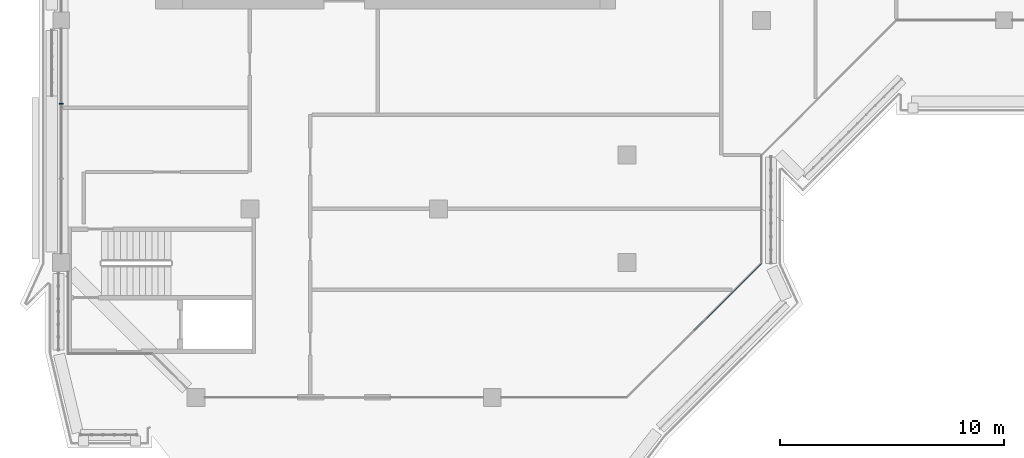
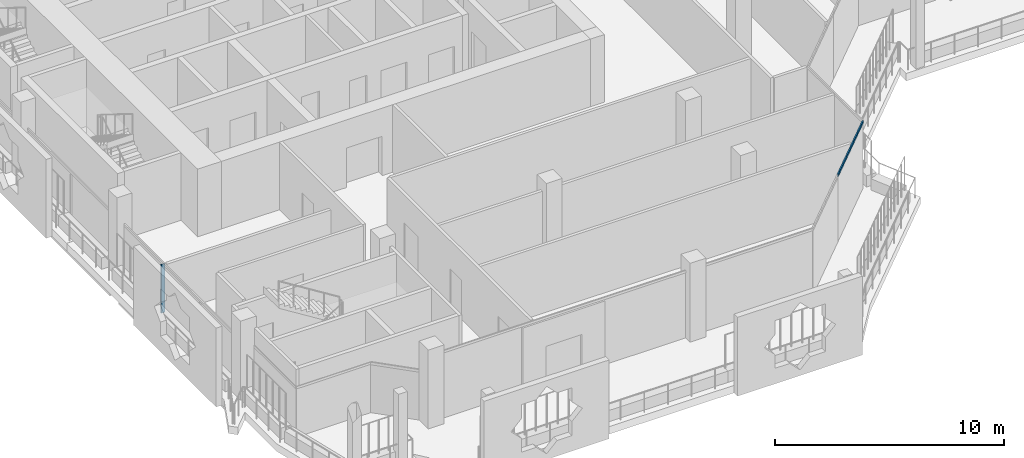
# One storey, part 3 of 21: 2 members, 2 elements without a shape of their own.
"""IFC4 building model written with IfcOpenShell, lengths in metres."""

from ifc_helpers import new_model, si_unit, direction, frame, origin, origin_2d, place, context, subcontext, project, spatial, rectangle, extrude, material, layer, layer_set, material_profile, profile_set, type_object, element, aggregate, save


model = new_model("IFC4")

# Units and contexts
model_context = context("Model", 3, precision=1e-05, world=origin(), true_north=direction((0.0, 1.0)))
body_context = subcontext(model_context, "Body", "Model", "MODEL_VIEW")
ifc_project = project(units=[si_unit("LENGTHUNIT", "METRE"), si_unit("AREAUNIT", "SQUARE_METRE"), si_unit("VOLUMEUNIT", "CUBIC_METRE"), si_unit("PLANEANGLEUNIT", "RADIAN"), si_unit("MASSUNIT", "GRAM", prefix="KILO")], contexts=[model_context])

# Site, building, storey
site_placement = place(None, origin())
site = spatial("IfcSite", under=ifc_project, at=site_placement, CompositionType="ELEMENT")
building_placement = place(site_placement, origin())
building = spatial("IfcBuilding", under=site, at=building_placement, Name="Kawkab Arch Medical Tower", CompositionType="ELEMENT")
storey_placement = place(building_placement, frame((0.0, 0.0, 307.0)))
storey = spatial("IfcBuildingStorey", under=building, at=storey_placement, Name="L71", CompositionType="ELEMENT", Elevation=307.0)

# Curtain wall, member
ifc_material_1 = material(Name="Bronze anodised aluminium curtain wall frame", Category="aluminium")
ifc_layer_1 = layer(ifc_material_1, 0.159912109375)
ifc_layer_set_1 = layer_set([ifc_layer_1], Name="Bronze anodised aluminium curtain wall frame")
curtain_wall_type_1 = type_object("IfcCurtainWallType", Name="CW1 ward curtain wall", PredefinedType="NOTDEFINED", material=ifc_layer_set_1)
placement = place(storey_placement, origin())
curtain_wall_1 = element("IfcCurtainWall", 1, at=placement, inside=storey, type_object=curtain_wall_type_1, Name="CW1 Ward curtain wall R02", PredefinedType="NOTDEFINED")
ifc_material_2 = material(Name="Bronze anodised aluminium curtain wall frame", Category="aluminium")
ifc_material_profile_1 = material_profile(ifc_material_2, rectangle(XDim=0.179931640625, YDim=0.06005859375, at=origin_2d()), Name="AL 60x180")
ifc_profile_set_1 = profile_set([ifc_material_profile_1], Name="Bronze anodised aluminium curtain wall frame")
member_type_1 = type_object("IfcMemberType", Name="CW1 mullion 60 x 180", PredefinedType="MULLION", material=ifc_profile_set_1)
member_1_placement = place(storey_placement, frame((0.0, -28.916748046875, 0.0), z_axis=(0.0, 0.0, 1.0), x_axis=(1.0, 0.0, 0.0)))
member_1 = element("IfcMember", 2, at=member_1_placement, type_object=member_type_1, Name="CW1 mullion 3.1", PredefinedType="MULLION", context=body_context, shape_type="SweptSolid", body=[
    extrude(rectangle(XDim=0.179931640625, YDim=0.06005859375, at=origin_2d()), origin(), (0.0, 0.0, 1.0), 2.580078125),
])
aggregate(curtain_wall_1, [member_1])

ifc_material_3 = material(Name="Bronze anodised aluminium curtain wall frame", Category="aluminium")
ifc_layer_2 = layer(ifc_material_3, 0.159912109375)
ifc_layer_set_2 = layer_set([ifc_layer_2], Name="Bronze anodised aluminium curtain wall frame")
curtain_wall_type_2 = type_object("IfcCurtainWallType", Name="CW2 chamfer curtain wall", PredefinedType="NOTDEFINED", material=ifc_layer_set_2)
curtain_wall_2 = element("IfcCurtainWall", 3, at=placement, inside=storey, type_object=curtain_wall_type_2, Name="CW2 Chamfer curtain wall R08", PredefinedType="NOTDEFINED")
ifc_material_4 = material(Name="Bronze anodised aluminium curtain wall frame", Category="aluminium")
ifc_material_profile_2 = material_profile(ifc_material_4, rectangle(XDim=0.06005859375, YDim=0.139892578125, at=origin_2d()), Name="AL 60x140")
ifc_profile_set_2 = profile_set([ifc_material_profile_2], Name="Bronze anodised aluminium curtain wall frame")
member_type_2 = type_object("IfcMemberType", Name="CW2 transom 140 x 60", PredefinedType="USERDEFINED", material=ifc_profile_set_2)
member_2_placement = place(storey_placement, frame((28.199951171875, -39.0, 3.530029296875), z_axis=(0.707106781187, 0.707106781187, 0.0), x_axis=(-0.707106781187, 0.707106781187, 0.0)))
member_2 = element("IfcMember", 4, at=member_2_placement, type_object=member_type_2, Name="CW2 transom 2", ObjectType="TRANSOM", PredefinedType="USERDEFINED", context=body_context, shape_type="SweptSolid", body=[
    extrude(rectangle(XDim=0.06005859375, YDim=0.139892578125, at=origin_2d()), origin(), (0.0, 0.0, 1.0), 4.24267578125),
])
aggregate(curtain_wall_2, [member_2])

save(model, "model.ifc")
